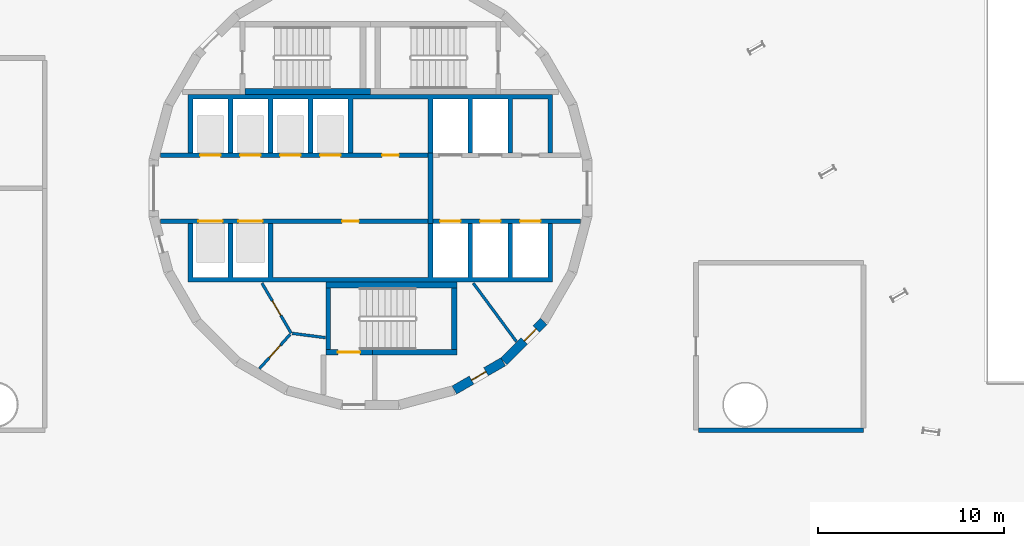
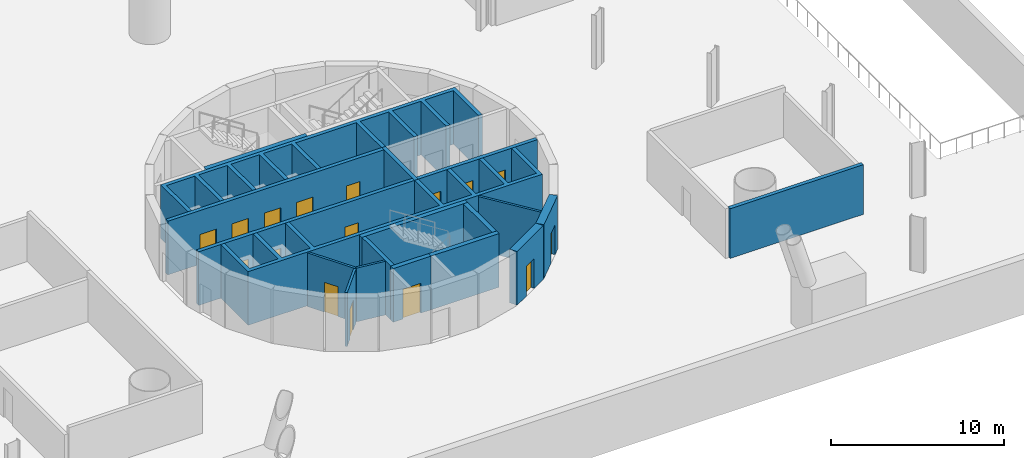
# One storey, part 6 of 10: 19 walls, 16 doors, 16 openings.
"""IFC4 building model written with IfcOpenShell, lengths in metres."""

from ifc_helpers import new_model, si_unit, direction, frame, frame_2d, origin, place, context, subcontext, project, spatial, polyline, rectangle, outline, extrude, material, layer, layer_set, type_object, element, fill, save


model = new_model("IFC4")

# Units and contexts
model_context = context("Model", 3, precision=1e-05, world=origin(), true_north=direction((0.0, 1.0)))
body_context = subcontext(model_context, "Body", "Model", "MODEL_VIEW")
ifc_project = project(units=[si_unit("LENGTHUNIT", "METRE"), si_unit("AREAUNIT", "SQUARE_METRE"), si_unit("VOLUMEUNIT", "CUBIC_METRE"), si_unit("PLANEANGLEUNIT", "RADIAN"), si_unit("MASSUNIT", "GRAM", prefix="KILO")], contexts=[model_context])

# Site, building, storey
site_placement = place(None, origin())
site = spatial("IfcSite", under=ifc_project, at=site_placement, CompositionType="ELEMENT")
building_placement = place(site_placement, origin())
building = spatial("IfcBuilding", under=site, at=building_placement, Name="Spindle Arch Residences", CompositionType="ELEMENT")
storey_placement = place(building_placement, frame((0.0, 0.0, -4.199951171875)))
storey = spatial("IfcBuildingStorey", under=building, at=storey_placement, Name="B1", CompositionType="ELEMENT", Elevation=-4.199951171875)

# Wall, opening, door
ifc_material_1 = material(Name="Concrete C50/60", Category="concrete")
ifc_layer_1 = layer(ifc_material_1, 0.5)
ifc_layer_set_1 = layer_set([ifc_layer_1], Name="Core outline wall 500")
wall_type_1 = type_object("IfcWallType", Name="Core outline wall 500", PredefinedType="SHEAR", material=ifc_layer_set_1)
wall_1_placement = place(storey_placement, frame((4.510498046875, -10.84521484375, 0.0), z_axis=(0.0, 0.0, 1.0), x_axis=(0.865975092491, 0.500087131594, 0.0)))
wall_1 = element("IfcWall", 1, at=wall_1_placement, inside=storey, type_object=wall_type_1, Name="Core outline wall 2", PredefinedType="SHEAR", context=body_context, shape_type="SweptSolid", body=[
    extrude(rectangle(XDim=3.03271484375, YDim=0.5, at=frame_2d((1.516357421875, 0.0))), origin(), (0.0, 0.0, 1.0), 3.780029296875),
])
opening_1_placement = place(wall_1_placement, frame((1.06640625, 0.0, 0.0)))
opening_1 = element("IfcOpeningElement", 2, at=opening_1_placement, cuts=wall_1, Name="Opening B1-WD06", PredefinedType="OPENING", context=body_context, shape_type="SweptSolid", body=[
    extrude(rectangle(XDim=0.89990234375, YDim=2.10009765625, at=frame_2d((0.449951171875, 1.050048828125))), frame((0.0, 0.260009765625, 0.0), z_axis=(0.0, -1.0, 0.0), x_axis=(1.0, 0.0, 0.0)), (0.0, 0.0, 1.0), 0.52001953125),
])
ifc_material_2 = material(Name="Steel, fire-resisting door", Category="steel")
door_type_1 = type_object("IfcDoorType", Name="Service room door 900x2100", OperationType="SINGLE_SWING_LEFT", PredefinedType="DOOR", material=ifc_material_2)
door_1_placement = place(opening_1_placement, origin())
door_1 = element("IfcDoor", 3, at=door_1_placement, inside=storey, type_object=door_type_1, Name="Service room door B1-WD06", OperationType="SINGLE_SWING_LEFT", OverallHeight=2.10009765625, OverallWidth=0.89990234375, PredefinedType="DOOR", context=body_context, shape_type="SweptSolid", body=[
    extrude(rectangle(XDim=0.89990234375, YDim=2.10009765625, at=frame_2d((0.449951171875, 1.050048828125))), frame((0.0, 0.02490234375, 0.0), z_axis=(0.0, -1.0, 0.0), x_axis=(1.0, 0.0, 0.0)), (0.0, 0.0, 1.0), 0.050048828125),
])
fill(opening_1, door_1)

wall_2_placement = place(storey_placement, frame((7.163818359375, -9.30810546875, 0.0), z_axis=(0.0, 0.0, 1.0), x_axis=(0.707106781187, 0.707106781187, 0.0)))
wall_2 = element("IfcWall", 4, at=wall_2_placement, inside=storey, type_object=wall_type_1, Name="Core outline wall 3", PredefinedType="SHEAR", context=body_context, shape_type="SweptSolid", body=[
    extrude(rectangle(XDim=3.032470703125, YDim=0.5, at=frame_2d((1.51611328125, 0.0))), origin(), (0.0, 0.0, 1.0), 3.780029296875),
])
opening_2_placement = place(wall_2_placement, frame((1.56640625, 0.0, 0.0)))
opening_2 = element("IfcOpeningElement", 5, at=opening_2_placement, cuts=wall_2, Name="Opening B1-WD07", PredefinedType="OPENING", context=body_context, shape_type="SweptSolid", body=[
    extrude(rectangle(XDim=0.89990234375, YDim=2.10009765625, at=frame_2d((0.449951171875, 1.050048828125))), frame((0.0, 0.260009765625, 0.0), z_axis=(0.0, -1.0, 0.0), x_axis=(1.0, 0.0, 0.0)), (0.0, 0.0, 1.0), 0.52001953125),
])
door_2_placement = place(opening_2_placement, origin())
door_2 = element("IfcDoor", 6, at=door_2_placement, inside=storey, type_object=door_type_1, Name="Service room door B1-WD07", OperationType="SINGLE_SWING_RIGHT", OverallHeight=2.10009765625, OverallWidth=0.89990234375, PredefinedType="DOOR", context=body_context, shape_type="SweptSolid", body=[
    extrude(rectangle(XDim=0.89990234375, YDim=2.10009765625, at=frame_2d((0.449951171875, 1.050048828125))), frame((0.0, 0.02490234375, 0.0), z_axis=(0.0, -1.0, 0.0), x_axis=(1.0, 0.0, 0.0)), (0.0, 0.0, 1.0), 0.050048828125),
])
fill(opening_2, door_2)

# Wall
ifc_material_3 = material(Name="Concrete C40/50", Category="concrete")
ifc_layer_2 = layer(ifc_material_3, 0.25)
ifc_layer_set_2 = layer_set([ifc_layer_2], Name="Fire-lift lobby wall 250")
wall_type_2 = type_object("IfcWallType", Name="Fire-lift lobby wall 250", PredefinedType="SHEAR", material=ifc_layer_set_2)
wall_3_placement = place(storey_placement, frame((3.22509765625, -1.89990234375, 0.0), z_axis=(0.0, 0.0, 1.0), x_axis=(0.0, 1.0, 0.0)))
element("IfcWall", 7, at=wall_3_placement, inside=storey, type_object=wall_type_2, Name="Fire-fighting lobby partition", PredefinedType="SHEAR", context=body_context, shape_type="SweptSolid", body=[
    extrude(rectangle(XDim=3.7998046875, YDim=0.25, at=frame_2d((1.89990234375, 0.0))), origin(), (0.0, 0.0, 1.0), 3.780029296875),
])

# Wall, openings, doors
ifc_material_4 = material(Name="Concrete C50/60", Category="concrete")
ifc_layer_3 = layer(ifc_material_4, 0.25)
ifc_layer_set_3 = layer_set([ifc_layer_3], Name="Fire-lift shaft wall 250")
wall_type_3 = type_object("IfcWallType", Name="Fire-lift shaft wall 250", PredefinedType="SHEAR", material=ifc_layer_set_3)
wall_4_placement = place(storey_placement, frame((3.35009765625, -1.77490234375, 0.0), z_axis=(0.0, 0.0, 1.0), x_axis=(1.0, 0.0, 0.0)))
wall_4 = element("IfcWall", 8, at=wall_4_placement, inside=storey, type_object=wall_type_3, Name="Lift shaft front wall SE", PredefinedType="SHEAR", context=body_context, shape_type="SweptSolid", body=[
    extrude(rectangle(XDim=7.929931640625, YDim=0.25, at=frame_2d((3.96484375, 0.0))), origin(), (0.0, 0.0, 1.0), 3.780029296875),
])
opening_3_placement = place(wall_4_placement, frame((0.39990234375, 0.0, 0.0)))
opening_3 = element("IfcOpeningElement", 9, at=opening_3_placement, cuts=wall_4, Name="Opening B1-FLD01", PredefinedType="OPENING", context=body_context, shape_type="SweptSolid", body=[
    extrude(rectangle(XDim=1.10009765625, YDim=2.39990234375, at=frame_2d((0.550048828125, 1.199951171875))), frame((0.0, 0.135009765625, 0.0), z_axis=(0.0, -1.0, 0.0), x_axis=(1.0, 0.0, 0.0)), (0.0, 0.0, 1.0), 0.27001953125),
])
opening_4_placement = place(wall_4_placement, frame((2.550048828125, 0.0, 0.0)))
opening_4 = element("IfcOpeningElement", 10, at=opening_4_placement, cuts=wall_4, Name="Opening B1-FLD02", PredefinedType="OPENING", context=body_context, shape_type="SweptSolid", body=[
    extrude(rectangle(XDim=1.10009765625, YDim=2.39990234375, at=frame_2d((0.550048828125, 1.199951171875))), frame((0.0, 0.135009765625, 0.0), z_axis=(0.0, -1.0, 0.0), x_axis=(1.0, 0.0, 0.0)), (0.0, 0.0, 1.0), 0.27001953125),
])
opening_5_placement = place(wall_4_placement, frame((4.699951171875, 0.0, 0.0)))
opening_5 = element("IfcOpeningElement", 11, at=opening_5_placement, cuts=wall_4, Name="Opening B1-FLD03", PredefinedType="OPENING", context=body_context, shape_type="SweptSolid", body=[
    extrude(rectangle(XDim=1.10009765625, YDim=2.39990234375, at=frame_2d((0.550048828125, 1.199951171875))), frame((0.0, 0.135009765625, 0.0), z_axis=(0.0, -1.0, 0.0), x_axis=(1.0, 0.0, 0.0)), (0.0, 0.0, 1.0), 0.27001953125),
])
ifc_material_5 = material(Name="Steel, fire-resisting landing door", Category="steel")
door_type_2 = type_object("IfcDoorType", Name="Fire-fighting lift landing door 1100x2400", OperationType="DOUBLE_DOOR_SLIDING", PredefinedType="DOOR", material=ifc_material_5)
door_3_placement = place(opening_3_placement, origin())
door_3 = element("IfcDoor", 12, at=door_3_placement, inside=storey, type_object=door_type_2, Name="Fire-fighting lift landing door B1-FLD01", OperationType="DOUBLE_DOOR_SLIDING", OverallHeight=2.39990234375, OverallWidth=1.10009765625, PredefinedType="DOOR", context=body_context, shape_type="SweptSolid", body=[
    extrude(rectangle(XDim=1.10009765625, YDim=2.39990234375, at=frame_2d((0.550048828125, 1.199951171875))), frame((0.0, 0.02490234375, 0.0), z_axis=(0.0, -1.0, 0.0), x_axis=(1.0, 0.0, 0.0)), (0.0, 0.0, 1.0), 0.050048828125),
])
fill(opening_3, door_3)
door_4_placement = place(opening_4_placement, origin())
door_4 = element("IfcDoor", 13, at=door_4_placement, inside=storey, type_object=door_type_2, Name="Fire-fighting lift landing door B1-FLD02", OperationType="DOUBLE_DOOR_SLIDING", OverallHeight=2.39990234375, OverallWidth=1.10009765625, PredefinedType="DOOR", context=body_context, shape_type="SweptSolid", body=[
    extrude(rectangle(XDim=1.10009765625, YDim=2.39990234375, at=frame_2d((0.550048828125, 1.199951171875))), frame((0.0, 0.02490234375, 0.0), z_axis=(0.0, -1.0, 0.0), x_axis=(1.0, 0.0, 0.0)), (0.0, 0.0, 1.0), 0.050048828125),
])
fill(opening_4, door_4)
door_5_placement = place(opening_5_placement, origin())
door_5 = element("IfcDoor", 14, at=door_5_placement, inside=storey, type_object=door_type_2, Name="Fire-fighting lift landing door B1-FLD03", OperationType="DOUBLE_DOOR_SLIDING", OverallHeight=2.39990234375, OverallWidth=1.10009765625, PredefinedType="DOOR", context=body_context, shape_type="SweptSolid", body=[
    extrude(rectangle(XDim=1.10009765625, YDim=2.39990234375, at=frame_2d((0.550048828125, 1.199951171875))), frame((0.0, 0.02490234375, 0.0), z_axis=(0.0, -1.0, 0.0), x_axis=(1.0, 0.0, 0.0)), (0.0, 0.0, 1.0), 0.050048828125),
])
fill(opening_5, door_5)

ifc_material_6 = material(Name="Concrete C50/60", Category="concrete")
ifc_layer_4 = layer(ifc_material_6, 0.25)
ifc_layer_set_4 = layer_set([ifc_layer_4], Name="Lift shaft wall 250")
wall_type_4 = type_object("IfcWallType", Name="Lift shaft wall 250", PredefinedType="SHEAR", material=ifc_layer_set_4)
wall_5_placement = place(storey_placement, frame((-11.280029296875, 1.77490234375, 0.0), z_axis=(0.0, 0.0, 1.0), x_axis=(1.0, 0.0, 0.0)))
wall_5 = element("IfcWall", 15, at=wall_5_placement, inside=storey, type_object=wall_type_4, Name="Lift shaft front wall NW", PredefinedType="SHEAR", context=body_context, shape_type="SweptSolid", body=[
    extrude(rectangle(XDim=14.380126953125, YDim=0.25, at=frame_2d((7.18994140625, 0.0))), origin(), (0.0, 0.0, 1.0), 3.780029296875),
])
opening_6_placement = place(wall_5_placement, frame((2.1298828125, 0.0, 0.0)))
opening_6 = element("IfcOpeningElement", 16, at=opening_6_placement, cuts=wall_5, Name="Opening B1-LD01", PredefinedType="OPENING", context=body_context, shape_type="SweptSolid", body=[
    extrude(rectangle(XDim=1.10009765625, YDim=2.10009765625, at=frame_2d((0.550048828125, 1.050048828125))), frame((0.0, 0.135009765625, 0.0), z_axis=(0.0, -1.0, 0.0), x_axis=(1.0, 0.0, 0.0)), (0.0, 0.0, 1.0), 0.27001953125),
])
opening_7_placement = place(wall_5_placement, frame((4.280029296875, 0.0, 0.0)))
opening_7 = element("IfcOpeningElement", 17, at=opening_7_placement, cuts=wall_5, Name="Opening B1-LD02", PredefinedType="OPENING", context=body_context, shape_type="SweptSolid", body=[
    extrude(rectangle(XDim=1.10009765625, YDim=2.10009765625, at=frame_2d((0.550048828125, 1.050048828125))), frame((0.0, 0.135009765625, 0.0), z_axis=(0.0, -1.0, 0.0), x_axis=(1.0, 0.0, 0.0)), (0.0, 0.0, 1.0), 0.27001953125),
])
opening_8_placement = place(wall_5_placement, frame((6.429931640625, 0.0, 0.0)))
opening_8 = element("IfcOpeningElement", 18, at=opening_8_placement, cuts=wall_5, Name="Opening B1-LD03", PredefinedType="OPENING", context=body_context, shape_type="SweptSolid", body=[
    extrude(rectangle(XDim=1.10009765625, YDim=2.10009765625, at=frame_2d((0.550048828125, 1.050048828125))), frame((0.0, 0.135009765625, 0.0), z_axis=(0.0, -1.0, 0.0), x_axis=(1.0, 0.0, 0.0)), (0.0, 0.0, 1.0), 0.27001953125),
])
opening_9_placement = place(wall_5_placement, frame((8.580078125, 0.0, 0.0)))
opening_9 = element("IfcOpeningElement", 19, at=opening_9_placement, cuts=wall_5, Name="Opening B1-LD04", PredefinedType="OPENING", context=body_context, shape_type="SweptSolid", body=[
    extrude(rectangle(XDim=1.10009765625, YDim=2.10009765625, at=frame_2d((0.550048828125, 1.050048828125))), frame((0.0, 0.135009765625, 0.0), z_axis=(0.0, -1.0, 0.0), x_axis=(1.0, 0.0, 0.0)), (0.0, 0.0, 1.0), 0.27001953125),
])
opening_10_placement = place(wall_5_placement, frame((11.905029296875, 0.0, 0.0)))
opening_10 = element("IfcOpeningElement", 20, at=opening_10_placement, cuts=wall_5, Name="Opening B1-WD01", PredefinedType="OPENING", context=body_context, shape_type="SweptSolid", body=[
    extrude(rectangle(XDim=0.89990234375, YDim=2.10009765625, at=frame_2d((0.449951171875, 1.050048828125))), frame((0.0, 0.135009765625, 0.0), z_axis=(0.0, -1.0, 0.0), x_axis=(1.0, 0.0, 0.0)), (0.0, 0.0, 1.0), 0.27001953125),
])
ifc_material_7 = material(Name="Steel, fire-resisting landing door", Category="steel")
door_type_3 = type_object("IfcDoorType", Name="Lift landing door 1100x2100", OperationType="DOUBLE_DOOR_SLIDING", PredefinedType="DOOR", material=ifc_material_7)
door_6_placement = place(opening_6_placement, origin())
door_6 = element("IfcDoor", 21, at=door_6_placement, inside=storey, type_object=door_type_3, Name="Lift landing door B1-LD01", OperationType="DOUBLE_DOOR_SLIDING", OverallHeight=2.10009765625, OverallWidth=1.10009765625, PredefinedType="DOOR", context=body_context, shape_type="SweptSolid", body=[
    extrude(rectangle(XDim=1.10009765625, YDim=2.10009765625, at=frame_2d((0.550048828125, 1.050048828125))), frame((0.0, 0.02490234375, 0.0), z_axis=(0.0, -1.0, 0.0), x_axis=(1.0, 0.0, 0.0)), (0.0, 0.0, 1.0), 0.050048828125),
])
fill(opening_6, door_6)
door_7_placement = place(opening_7_placement, origin())
door_7 = element("IfcDoor", 22, at=door_7_placement, inside=storey, type_object=door_type_3, Name="Lift landing door B1-LD02", OperationType="DOUBLE_DOOR_SLIDING", OverallHeight=2.10009765625, OverallWidth=1.10009765625, PredefinedType="DOOR", context=body_context, shape_type="SweptSolid", body=[
    extrude(rectangle(XDim=1.10009765625, YDim=2.10009765625, at=frame_2d((0.550048828125, 1.050048828125))), frame((0.0, 0.02490234375, 0.0), z_axis=(0.0, -1.0, 0.0), x_axis=(1.0, 0.0, 0.0)), (0.0, 0.0, 1.0), 0.050048828125),
])
fill(opening_7, door_7)
door_8_placement = place(opening_8_placement, origin())
door_8 = element("IfcDoor", 23, at=door_8_placement, inside=storey, type_object=door_type_3, Name="Lift landing door B1-LD03", OperationType="DOUBLE_DOOR_SLIDING", OverallHeight=2.10009765625, OverallWidth=1.10009765625, PredefinedType="DOOR", context=body_context, shape_type="SweptSolid", body=[
    extrude(rectangle(XDim=1.10009765625, YDim=2.10009765625, at=frame_2d((0.550048828125, 1.050048828125))), frame((0.0, 0.02490234375, 0.0), z_axis=(0.0, -1.0, 0.0), x_axis=(1.0, 0.0, 0.0)), (0.0, 0.0, 1.0), 0.050048828125),
])
fill(opening_8, door_8)
door_9_placement = place(opening_9_placement, origin())
door_9 = element("IfcDoor", 24, at=door_9_placement, inside=storey, type_object=door_type_3, Name="Lift landing door B1-LD04", OperationType="DOUBLE_DOOR_SLIDING", OverallHeight=2.10009765625, OverallWidth=1.10009765625, PredefinedType="DOOR", context=body_context, shape_type="SweptSolid", body=[
    extrude(rectangle(XDim=1.10009765625, YDim=2.10009765625, at=frame_2d((0.550048828125, 1.050048828125))), frame((0.0, 0.02490234375, 0.0), z_axis=(0.0, -1.0, 0.0), x_axis=(1.0, 0.0, 0.0)), (0.0, 0.0, 1.0), 0.050048828125),
])
fill(opening_9, door_9)
door_10_placement = place(opening_10_placement, origin())
door_10 = element("IfcDoor", 25, at=door_10_placement, inside=storey, type_object=door_type_1, Name="Service room door B1-WD01", OperationType="SINGLE_SWING_RIGHT", OverallHeight=2.10009765625, OverallWidth=0.89990234375, PredefinedType="DOOR", context=body_context, shape_type="SweptSolid", body=[
    extrude(rectangle(XDim=0.89990234375, YDim=2.10009765625, at=frame_2d((0.449951171875, 1.050048828125))), frame((0.0, 0.02490234375, 0.0), z_axis=(0.0, -1.0, 0.0), x_axis=(1.0, 0.0, 0.0)), (0.0, 0.0, 1.0), 0.050048828125),
])
fill(opening_10, door_10)

wall_6_placement = place(storey_placement, frame((-11.280029296875, -1.77490234375, 0.0), z_axis=(0.0, 0.0, 1.0), x_axis=(1.0, 0.0, 0.0)))
wall_6 = element("IfcWall", 26, at=wall_6_placement, inside=storey, type_object=wall_type_4, Name="Lift shaft front wall SW", PredefinedType="SHEAR", context=body_context, shape_type="SweptSolid", body=[
    extrude(rectangle(XDim=14.380126953125, YDim=0.25, at=frame_2d((7.18994140625, 0.0))), origin(), (0.0, 0.0, 1.0), 3.780029296875),
])
opening_11_placement = place(wall_6_placement, frame((2.030029296875, 0.0, 0.0)))
opening_11 = element("IfcOpeningElement", 27, at=opening_11_placement, cuts=wall_6, Name="Opening B1-XLD01", PredefinedType="OPENING", context=body_context, shape_type="SweptSolid", body=[
    extrude(rectangle(XDim=1.300048828125, YDim=2.10009765625, at=frame_2d((0.64990234375, 1.050048828125))), frame((0.0, 0.135009765625, 0.0), z_axis=(0.0, -1.0, 0.0), x_axis=(1.0, 0.0, 0.0)), (0.0, 0.0, 1.0), 0.27001953125),
])
opening_12_placement = place(wall_6_placement, frame((4.179931640625, 0.0, 0.0)))
opening_12 = element("IfcOpeningElement", 28, at=opening_12_placement, cuts=wall_6, Name="Opening B1-XLD02", PredefinedType="OPENING", context=body_context, shape_type="SweptSolid", body=[
    extrude(rectangle(XDim=1.300048828125, YDim=2.10009765625, at=frame_2d((0.64990234375, 1.050048828125))), frame((0.0, 0.135009765625, 0.0), z_axis=(0.0, -1.0, 0.0), x_axis=(1.0, 0.0, 0.0)), (0.0, 0.0, 1.0), 0.27001953125),
])
opening_13_placement = place(wall_6_placement, frame((9.7548828125, 0.0, 0.0)))
opening_13 = element("IfcOpeningElement", 29, at=opening_13_placement, cuts=wall_6, Name="Opening B1-WD03", PredefinedType="OPENING", context=body_context, shape_type="SweptSolid", body=[
    extrude(rectangle(XDim=0.89990234375, YDim=2.10009765625, at=frame_2d((0.449951171875, 1.050048828125))), frame((0.0, 0.135009765625, 0.0), z_axis=(0.0, -1.0, 0.0), x_axis=(1.0, 0.0, 0.0)), (0.0, 0.0, 1.0), 0.27001953125),
])
ifc_material_8 = material(Name="Steel, fire-resisting landing door", Category="steel")
door_type_4 = type_object("IfcDoorType", Name="Express shuttle landing door 1300x2100", OperationType="DOUBLE_DOOR_SLIDING", PredefinedType="DOOR", material=ifc_material_8)
door_11_placement = place(opening_11_placement, origin())
door_11 = element("IfcDoor", 30, at=door_11_placement, inside=storey, type_object=door_type_4, Name="Express shuttle landing door B1-XLD01", OperationType="DOUBLE_DOOR_SLIDING", OverallHeight=2.10009765625, OverallWidth=1.300048828125, PredefinedType="DOOR", context=body_context, shape_type="SweptSolid", body=[
    extrude(rectangle(XDim=1.300048828125, YDim=2.10009765625, at=frame_2d((0.64990234375, 1.050048828125))), frame((0.0, 0.02490234375, 0.0), z_axis=(0.0, -1.0, 0.0), x_axis=(1.0, 0.0, 0.0)), (0.0, 0.0, 1.0), 0.050048828125),
])
fill(opening_11, door_11)
door_12_placement = place(opening_12_placement, origin())
door_12 = element("IfcDoor", 31, at=door_12_placement, inside=storey, type_object=door_type_4, Name="Express shuttle landing door B1-XLD02", OperationType="DOUBLE_DOOR_SLIDING", OverallHeight=2.10009765625, OverallWidth=1.300048828125, PredefinedType="DOOR", context=body_context, shape_type="SweptSolid", body=[
    extrude(rectangle(XDim=1.300048828125, YDim=2.10009765625, at=frame_2d((0.64990234375, 1.050048828125))), frame((0.0, 0.02490234375, 0.0), z_axis=(0.0, -1.0, 0.0), x_axis=(1.0, 0.0, 0.0)), (0.0, 0.0, 1.0), 0.050048828125),
])
fill(opening_12, door_12)
door_13_placement = place(opening_13_placement, origin())
door_13 = element("IfcDoor", 32, at=door_13_placement, inside=storey, type_object=door_type_1, Name="Service room door B1-WD03", OperationType="SINGLE_SWING_RIGHT", OverallHeight=2.10009765625, OverallWidth=0.89990234375, PredefinedType="DOOR", context=body_context, shape_type="SweptSolid", body=[
    extrude(rectangle(XDim=0.89990234375, YDim=2.10009765625, at=frame_2d((0.449951171875, 1.050048828125))), frame((0.0, 0.02490234375, 0.0), z_axis=(0.0, -1.0, 0.0), x_axis=(1.0, 0.0, 0.0)), (0.0, 0.0, 1.0), 0.050048828125),
])
fill(opening_13, door_13)

# Walls
ifc_material_9 = material(Name="Concrete C50/60", Category="concrete")
wall_type_5 = type_object("IfcWallType", Name="Lift shaft wall profile", PredefinedType="SHEAR", material=ifc_material_9)
wall_7_placement = place(storey_placement, origin())
element("IfcWall", 33, at=wall_7_placement, inside=storey, type_object=wall_type_5, Name="Lift shaft walls N", PredefinedType="SHEAR", context=body_context, shape_type="SweptSolid", body=[
    extrude(outline(polyline([(-9.550048828125, 4.800048828125), (-7.64990234375, 4.800048828125), (-7.64990234375, 1.89990234375), (-7.39990234375, 1.89990234375), (-7.39990234375, 4.800048828125), (-5.5, 4.800048828125), (-5.5, 1.89990234375), (-5.25, 1.89990234375), (-5.25, 4.800048828125), (-3.35009765625, 4.800048828125), (-3.35009765625, 1.89990234375), (-3.10009765625, 1.89990234375), (-3.10009765625, 4.800048828125), (-1.199951171875, 4.800048828125), (-1.199951171875, 1.89990234375), (-0.949951171875, 1.89990234375), (-0.949951171875, 4.800048828125), (3.10009765625, 4.800048828125), (3.10009765625, 1.89990234375), (3.35009765625, 1.89990234375), (3.35009765625, 4.800048828125), (5.25, 4.800048828125), (5.25, 1.89990234375), (5.5, 1.89990234375), (5.5, 4.800048828125), (7.39990234375, 4.800048828125), (7.39990234375, 1.89990234375), (7.64990234375, 1.89990234375), (7.64990234375, 4.800048828125), (9.550048828125, 4.800048828125), (9.550048828125, 1.89990234375), (9.800048828125, 1.89990234375), (9.800048828125, 4.800048828125), (9.800048828125, 5.050048828125), (-9.800048828125, 5.050048828125), (-9.800048828125, 4.800048828125), (-9.800048828125, 1.89990234375), (-9.550048828125, 1.89990234375), (-9.550048828125, 4.800048828125)])), origin(), (0.0, 0.0, 1.0), 3.780029296875),
])
wall_8_placement = place(storey_placement, origin())
element("IfcWall", 34, at=wall_8_placement, inside=storey, type_object=wall_type_5, Name="Lift shaft walls S", PredefinedType="SHEAR", context=body_context, shape_type="SweptSolid", body=[
    extrude(outline(polyline([(9.800048828125, -5.050048828125), (9.800048828125, -4.800048828125), (9.800048828125, -1.89990234375), (9.550048828125, -1.89990234375), (9.550048828125, -4.800048828125), (7.64990234375, -4.800048828125), (7.64990234375, -1.89990234375), (7.39990234375, -1.89990234375), (7.39990234375, -4.800048828125), (5.5, -4.800048828125), (5.5, -1.89990234375), (5.25, -1.89990234375), (5.25, -4.800048828125), (3.35009765625, -4.800048828125), (3.35009765625, -1.89990234375), (3.10009765625, -1.89990234375), (3.10009765625, -4.800048828125), (-5.25, -4.800048828125), (-5.25, -1.89990234375), (-5.5, -1.89990234375), (-5.5, -4.800048828125), (-7.39990234375, -4.800048828125), (-7.39990234375, -1.89990234375), (-7.64990234375, -1.89990234375), (-7.64990234375, -4.800048828125), (-9.550048828125, -4.800048828125), (-9.550048828125, -1.89990234375), (-9.800048828125, -1.89990234375), (-9.800048828125, -4.800048828125), (-9.800048828125, -5.050048828125), (9.800048828125, -5.050048828125)])), origin(), (0.0, 0.0, 1.0), 3.780029296875),
])
ifc_material_10 = material(Name="Concrete C25/30 wall", Category="concrete")
ifc_layer_5 = layer(ifc_material_10, 0.25)
ifc_layer_set_5 = layer_set([ifc_layer_5], Name="Partition EI 120 250 store")
wall_type_6 = type_object("IfcWallType", Name="Partition EI 120 250 store", PredefinedType="PARTITIONING", material=ifc_layer_set_5)
wall_9_placement = place(storey_placement, frame((26.5, -13.0, 0.0), z_axis=(0.0, 0.0, 1.0), x_axis=(-1.0, 0.0, 0.0)))
element("IfcWall", 35, at=wall_9_placement, inside=storey, type_object=wall_type_6, Name="B1-W012", PredefinedType="PARTITIONING", context=body_context, shape_type="SweptSolid", body=[
    extrude(rectangle(XDim=8.875, YDim=0.25, at=frame_2d((4.4375, 0.0))), origin(), (0.0, 0.0, 1.0), 3.5),
])
ifc_material_11 = material(Name="Concrete C25/30", Category="concrete")
ifc_layer_6 = layer(ifc_material_11, 0.14990234375)
ifc_layer_set_6 = layer_set([ifc_layer_6], Name="Service room partition 150")
wall_type_7 = type_object("IfcWallType", Name="Service room partition 150", PredefinedType="PARTITIONING", material=ifc_layer_set_6)
wall_10_placement = place(storey_placement, frame((5.528076171875, -5.098388671875, 0.0), z_axis=(0.0, 0.0, 1.0), x_axis=(0.594034318069, -0.804439698769, 0.0)))
element("IfcWall", 36, at=wall_10_placement, inside=storey, type_object=wall_type_7, Name="Core service room partition", PredefinedType="PARTITIONING", context=body_context, shape_type="SweptSolid", body=[
    extrude(rectangle(XDim=3.90673828125, YDim=0.14990234375, at=frame_2d((1.953369140625, 0.0))), origin(), (0.0, 0.0, 1.0), 3.780029296875),
])

# Wall, opening, door
wall_11_placement = place(storey_placement, frame((-5.8291015625, -5.101806640625, 0.0), z_axis=(0.0, 0.0, 1.0), x_axis=(0.504480008384, -0.863423373057, 0.0)))
wall_11 = element("IfcWall", 37, at=wall_11_placement, inside=storey, type_object=wall_type_7, Name="Core service room partition", PredefinedType="PARTITIONING", context=body_context, shape_type="SweptSolid", body=[
    extrude(rectangle(XDim=3.115234375, YDim=0.14990234375, at=frame_2d((1.5576171875, 0.0))), origin(), (0.0, 0.0, 1.0), 3.780029296875),
])
opening_14_placement = place(wall_11_placement, frame((1.107421875, 0.0, 0.0)))
opening_14 = element("IfcOpeningElement", 38, at=opening_14_placement, cuts=wall_11, Name="Opening B1-WD05", PredefinedType="OPENING", context=body_context, shape_type="SweptSolid", body=[
    extrude(rectangle(XDim=0.89990234375, YDim=2.10009765625, at=frame_2d((0.449951171875, 1.050048828125))), frame((0.0, 0.0849609375, 0.0), z_axis=(0.0, -1.0, 0.0), x_axis=(1.0, 0.0, 0.0)), (0.0, 0.0, 1.0), 0.169921875),
])
door_14_placement = place(opening_14_placement, origin())
door_14 = element("IfcDoor", 39, at=door_14_placement, inside=storey, type_object=door_type_1, Name="Service room door B1-WD05", OperationType="SINGLE_SWING_RIGHT", OverallHeight=2.10009765625, OverallWidth=0.89990234375, PredefinedType="DOOR", context=body_context, shape_type="SweptSolid", body=[
    extrude(rectangle(XDim=0.89990234375, YDim=2.10009765625, at=frame_2d((0.449951171875, 1.050048828125))), frame((0.0, 0.02490234375, 0.0), z_axis=(0.0, -1.0, 0.0), x_axis=(1.0, 0.0, 0.0)), (0.0, 0.0, 1.0), 0.050048828125),
])
fill(opening_14, door_14)

wall_12_placement = place(storey_placement, frame((-4.310791015625, -7.85107421875, 0.0), z_axis=(0.0, 0.0, 1.0), x_axis=(-0.667869133096, -0.744278725383, 0.0)))
wall_12 = element("IfcWall", 40, at=wall_12_placement, inside=storey, type_object=wall_type_7, Name="Core service room partition", PredefinedType="PARTITIONING", context=body_context, shape_type="SweptSolid", body=[
    extrude(rectangle(XDim=2.476318359375, YDim=0.14990234375, at=frame_2d((1.23828125, 0.0))), origin(), (0.0, 0.0, 1.0), 3.780029296875),
])
opening_15_placement = place(wall_12_placement, frame((0.7880859375, 0.0, 0.0)))
opening_15 = element("IfcOpeningElement", 41, at=opening_15_placement, cuts=wall_12, Name="Opening B1-WD04", PredefinedType="OPENING", context=body_context, shape_type="SweptSolid", body=[
    extrude(rectangle(XDim=0.89990234375, YDim=2.10009765625, at=frame_2d((0.449951171875, 1.050048828125))), frame((0.0, 0.0849609375, 0.0), z_axis=(0.0, -1.0, 0.0), x_axis=(1.0, 0.0, 0.0)), (0.0, 0.0, 1.0), 0.169921875),
])
door_15_placement = place(opening_15_placement, origin())
door_15 = element("IfcDoor", 42, at=door_15_placement, inside=storey, type_object=door_type_1, Name="Service room door B1-WD04", OperationType="SINGLE_SWING_LEFT", OverallHeight=2.10009765625, OverallWidth=0.89990234375, PredefinedType="DOOR", context=body_context, shape_type="SweptSolid", body=[
    extrude(rectangle(XDim=0.89990234375, YDim=2.10009765625, at=frame_2d((0.449951171875, 1.050048828125))), frame((0.0, 0.02490234375, 0.0), z_axis=(0.0, -1.0, 0.0), x_axis=(1.0, 0.0, 0.0)), (0.0, 0.0, 1.0), 0.050048828125),
])
fill(opening_15, door_15)

# Walls
wall_13_placement = place(storey_placement, frame((-4.197998046875, -7.79931640625, 0.0), z_axis=(0.0, 0.0, 1.0), x_axis=(0.991686747293, -0.128675542523, 0.0)))
element("IfcWall", 43, at=wall_13_placement, inside=storey, type_object=wall_type_7, Name="Core service room partition", PredefinedType="PARTITIONING", context=body_context, shape_type="SweptSolid", body=[
    extrude(rectangle(XDim=1.79296875, YDim=0.14990234375, at=frame_2d((0.896484375, 0.0))), origin(), (0.0, 0.0, 1.0), 3.780029296875),
])
ifc_material_12 = material(Name="Concrete C50/60", Category="concrete")
ifc_layer_7 = layer(ifc_material_12, 0.25)
ifc_layer_set_7 = layer_set([ifc_layer_7], Name="Stair enclosure wall 250")
wall_type_8 = type_object("IfcWallType", Name="Stair enclosure wall 250", PredefinedType="SHEAR", material=ifc_layer_set_7)
wall_14_placement = place(storey_placement, frame((-2.27490234375, -8.669921875, 0.0), z_axis=(0.0, 0.0, 1.0), x_axis=(0.0, 1.0, 0.0)))
element("IfcWall", 44, at=wall_14_placement, inside=storey, type_object=wall_type_8, Name="Stair ST-3 enclosure wall W", PredefinedType="SHEAR", context=body_context, shape_type="SweptSolid", body=[
    extrude(rectangle(XDim=3.31982421875, YDim=0.25, at=frame_2d((1.659912109375, 0.0))), origin(), (0.0, 0.0, 1.0), 3.780029296875),
])
ifc_material_13 = material(Name="Concrete C50/60", Category="concrete")
ifc_layer_8 = layer(ifc_material_13, 0.300048828125)
ifc_layer_set_8 = layer_set([ifc_layer_8], Name="Stair enclosure wall 300")
wall_type_9 = type_object("IfcWallType", Name="Stair enclosure wall 300", PredefinedType="SHEAR", material=ifc_layer_set_8)
wall_15_placement = place(storey_placement, frame((-6.75, 5.199951171875, 0.0), z_axis=(0.0, 0.0, 1.0), x_axis=(1.0, 0.0, 0.0)))
element("IfcWall", 45, at=wall_15_placement, inside=storey, type_object=wall_type_9, Name="Stair ST-2 enclosure wall S", PredefinedType="SHEAR", context=body_context, shape_type="SweptSolid", body=[
    extrude(rectangle(XDim=6.75, YDim=0.300048828125, at=frame_2d((3.375, 0.0))), origin(), (0.0, 0.0, 1.0), 3.780029296875),
])
wall_16_placement = place(storey_placement, frame((-2.39990234375, -5.199951171875, 0.0), z_axis=(0.0, 0.0, 1.0), x_axis=(1.0, 0.0, 0.0)))
element("IfcWall", 46, at=wall_16_placement, inside=storey, type_object=wall_type_9, Name="Stair ST-3 enclosure wall N", PredefinedType="SHEAR", context=body_context, shape_type="SweptSolid", body=[
    extrude(rectangle(XDim=7.0498046875, YDim=0.300048828125, at=frame_2d((3.52490234375, 0.0))), origin(), (0.0, 0.0, 1.0), 3.780029296875),
])
wall_17_placement = place(storey_placement, frame((4.5, -8.669921875, 0.0), z_axis=(0.0, 0.0, 1.0), x_axis=(0.0, 1.0, 0.0)))
element("IfcWall", 47, at=wall_17_placement, inside=storey, type_object=wall_type_9, Name="Stair ST-3 enclosure wall E", PredefinedType="SHEAR", context=body_context, shape_type="SweptSolid", body=[
    extrude(rectangle(XDim=3.31982421875, YDim=0.300048828125, at=frame_2d((1.659912109375, 0.0))), origin(), (0.0, 0.0, 1.0), 3.780029296875),
])
wall_18_placement = place(storey_placement, frame((0.10009765625, -8.820068359375, 0.0), z_axis=(0.0, 0.0, 1.0), x_axis=(1.0, 0.0, 0.0)))
element("IfcWall", 48, at=wall_18_placement, inside=storey, type_object=wall_type_9, Name="Stair ST-3 enclosure wall S", PredefinedType="SHEAR", context=body_context, shape_type="SweptSolid", body=[
    extrude(rectangle(XDim=4.5498046875, YDim=0.300048828125, at=frame_2d((2.27490234375, 0.0))), origin(), (0.0, 0.0, 1.0), 3.780029296875),
])

# Wall, opening, door
wall_19_placement = place(storey_placement, frame((-2.39990234375, -8.820068359375, 0.0), z_axis=(0.0, 0.0, 1.0), x_axis=(1.0, 0.0, 0.0)))
wall_19 = element("IfcWall", 49, at=wall_19_placement, inside=storey, type_object=wall_type_9, Name="Stair ST-3 door wall", PredefinedType="SHEAR", context=body_context, shape_type="SweptSolid", body=[
    extrude(rectangle(XDim=2.5, YDim=0.300048828125, at=frame_2d((1.25, 0.0))), origin(), (0.0, 0.0, 1.0), 3.780029296875),
])
opening_16_placement = place(wall_19_placement, frame((0.64990234375, 0.0, 0.0)))
opening_16 = element("IfcOpeningElement", 50, at=opening_16_placement, cuts=wall_19, Name="Opening B1-SD03", PredefinedType="OPENING", context=body_context, shape_type="SweptSolid", body=[
    extrude(rectangle(XDim=1.199951171875, YDim=2.10009765625, at=frame_2d((0.60009765625, 1.050048828125))), frame((0.0, 0.16015625, 0.0), z_axis=(0.0, -1.0, 0.0), x_axis=(1.0, 0.0, 0.0)), (0.0, 0.0, 1.0), 0.320068359375),
])
ifc_material_14 = material(Name="Steel, fire-resisting door", Category="steel")
door_type_5 = type_object("IfcDoorType", Name="Stair door 1200x2100", OperationType="SINGLE_SWING_RIGHT", PredefinedType="DOOR", material=ifc_material_14)
door_16_placement = place(opening_16_placement, origin())
door_16 = element("IfcDoor", 51, at=door_16_placement, inside=storey, type_object=door_type_5, Name="Stair door B1-SD03", OperationType="SINGLE_SWING_LEFT", OverallHeight=2.10009765625, OverallWidth=1.199951171875, PredefinedType="DOOR", context=body_context, shape_type="SweptSolid", body=[
    extrude(rectangle(XDim=1.199951171875, YDim=2.10009765625, at=frame_2d((0.60009765625, 1.050048828125))), frame((0.0, 0.02490234375, 0.0), z_axis=(0.0, -1.0, 0.0), x_axis=(1.0, 0.0, 0.0)), (0.0, 0.0, 1.0), 0.050048828125),
])
fill(opening_16, door_16)

save(model, "model.ifc")
